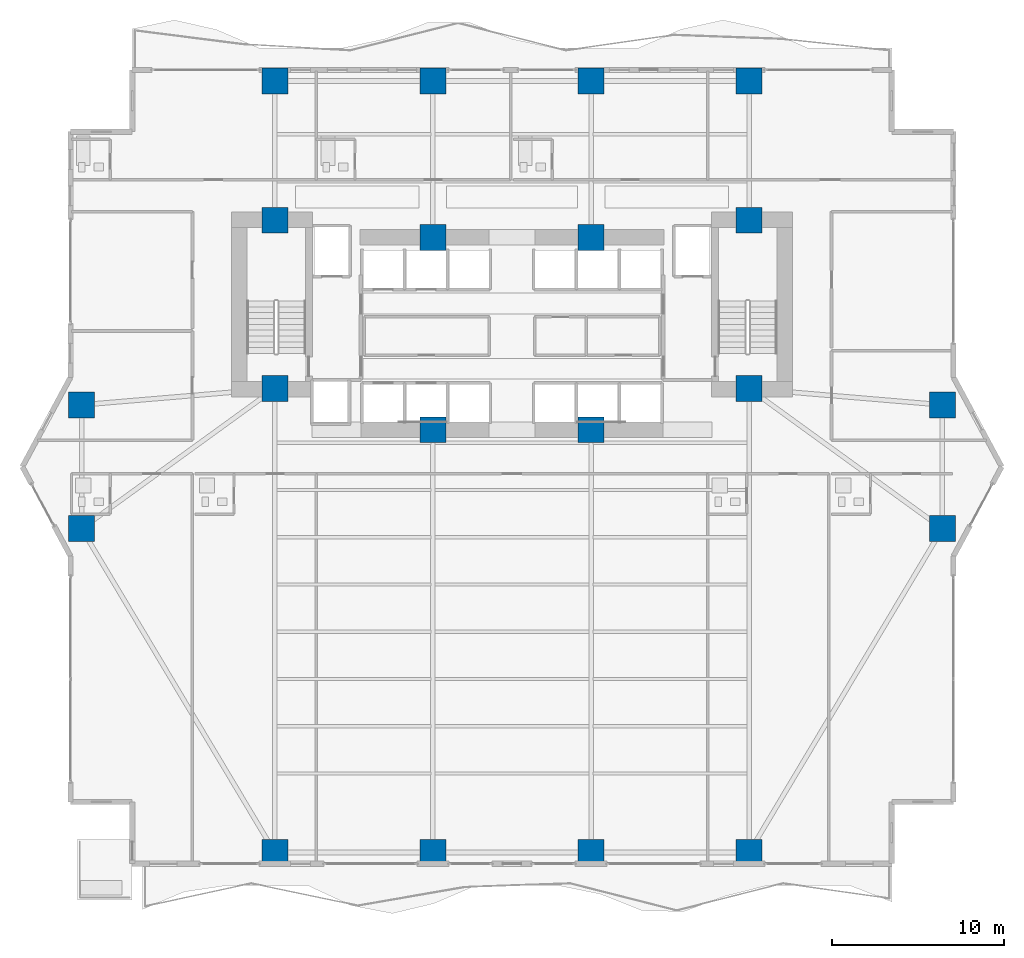
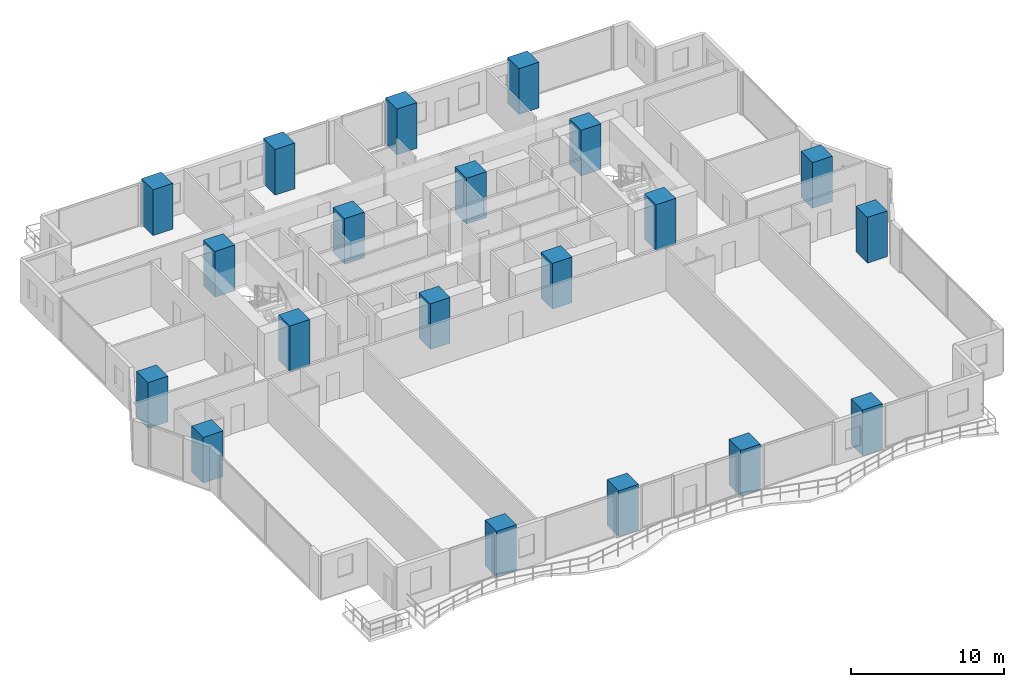
# One storey, part 1 of 28: 20 columns.
"""IFC4 building model written with IfcOpenShell, lengths in metres."""

from ifc_helpers import new_model, si_unit, direction, frame, origin, origin_2d, place, context, subcontext, project, spatial, rectangle, extrude, material, material_profile, profile_set, type_object, element, save


model = new_model("IFC4")

# Units and contexts
model_context = context("Model", 3, precision=1e-05, world=origin(), true_north=direction((0.0, 1.0)))
body_context = subcontext(model_context, "Body", "Model", "MODEL_VIEW")
ifc_project = project(units=[si_unit("LENGTHUNIT", "METRE"), si_unit("AREAUNIT", "SQUARE_METRE"), si_unit("VOLUMEUNIT", "CUBIC_METRE"), si_unit("PLANEANGLEUNIT", "RADIAN"), si_unit("MASSUNIT", "GRAM", prefix="KILO")], contexts=[model_context])

# Site, building, storey
site_placement = place(None, origin())
site = spatial("IfcSite", under=ifc_project, at=site_placement, CompositionType="ELEMENT")
building_placement = place(site_placement, origin())
building = spatial("IfcBuilding", under=site, at=building_placement, Name="Zuhayl Quay Hotel", CompositionType="ELEMENT")
storey_placement = place(building_placement, frame((0.0, 0.0, 75.050048828125)))
storey = spatial("IfcBuildingStorey", under=building, at=storey_placement, Name="L18", CompositionType="ELEMENT", Elevation=75.050048828125)

# Columns
ifc_material = material(Name="Concrete C70/85", Category="concrete")
ifc_material_profile_1 = material_profile(ifc_material, rectangle(XDim=1.5, YDim=1.5, at=origin_2d()), Name="RC1500X1500")
ifc_profile_set_1 = profile_set([ifc_material_profile_1], Name="Concrete C70/85")
column_type_1 = type_object("IfcColumnType", Name="CL_CC1_1500", PredefinedType="COLUMN", material=ifc_profile_set_1)
for number, where, z_axis, x_axis, name in (
    (1, (-13.800048828125, 14.35009765625, 0.0), (0.0, 0.0, 1.0), (1.0, 0.0, 0.0), "L18 Core Column CC_NW"),
    (2, (-4.60009765625, 13.35009765625, 0.0), (0.0, 0.0, 1.0), (1.0, 0.0, 0.0), "L18 Core Column CC_CNW"),
    (3, (4.60009765625, 13.35009765625, 0.0), (0.0, 0.0, 1.0), (1.0, 0.0, 0.0), "L18 Core Column CC_CNE"),
    (4, (13.800048828125, 14.35009765625, 0.0), (0.0, 0.0, 1.0), (1.0, 0.0, 0.0), "L18 Core Column CC_NE"),
    (5, (-13.800048828125, 4.550048828125, 0.0), (0.0, 0.0, 1.0), (1.0, 0.0, 0.0), "L18 Core Column CC_SW"),
    (6, (-4.60009765625, 2.14990234375, 0.0), (0.0, 0.0, 1.0), (1.0, 0.0, 0.0), "L18 Core Column CC_CSW"),
    (7, (4.60009765625, 2.14990234375, 0.0), (0.0, 0.0, 1.0), (1.0, 0.0, 0.0), "L18 Core Column CC_CSE"),
    (8, (13.800048828125, 4.550048828125, 0.0), (0.0, 0.0, 1.0), (1.0, 0.0, 0.0), "L18 Core Column CC_SE"),
):
    element("IfcColumn", number, at=place(storey_placement, frame(where, z_axis=z_axis, x_axis=x_axis)), inside=storey, type_object=column_type_1, Name=name, PredefinedType="COLUMN", context=body_context, shape_type="SweptSolid", body=[
        extrude(rectangle(XDim=1.5, YDim=1.5, at=origin_2d()), origin(), (0.0, 0.0, 1.0), 3.64990234375),
    ])
ifc_material_profile_2 = material_profile(ifc_material, rectangle(XDim=1.5, YDim=1.5, at=origin_2d()), Name="RC1500X1500")
ifc_profile_set_2 = profile_set([ifc_material_profile_2], Name="Concrete C70/85")
column_type_2 = type_object("IfcColumnType", Name="CL_MC1_1500", PredefinedType="COLUMN", material=ifc_profile_set_2)
for number, where, z_axis, x_axis, name in (
    (9, (-13.800048828125, -22.449951171875, 0.0), (0.0, 0.0, 1.0), (1.0, 0.0, 0.0), "L18 Mega-Column MC_S1"),
    (10, (-4.60009765625, -22.449951171875, 0.0), (0.0, 0.0, 1.0), (1.0, 0.0, 0.0), "L18 Mega-Column MC_S2"),
    (11, (4.60009765625, -22.449951171875, 0.0), (0.0, 0.0, 1.0), (1.0, 0.0, 0.0), "L18 Mega-Column MC_S3"),
    (12, (13.800048828125, -22.449951171875, 0.0), (0.0, 0.0, 1.0), (1.0, 0.0, 0.0), "L18 Mega-Column MC_S4"),
    (13, (-13.800048828125, 22.449951171875, 0.0), (0.0, 0.0, 1.0), (1.0, 0.0, 0.0), "L18 Mega-Column MC_N1"),
    (14, (-4.60009765625, 22.449951171875, 0.0), (0.0, 0.0, 1.0), (1.0, 0.0, 0.0), "L18 Mega-Column MC_N2"),
    (15, (4.60009765625, 22.449951171875, 0.0), (0.0, 0.0, 1.0), (1.0, 0.0, 0.0), "L18 Mega-Column MC_N3"),
    (16, (13.800048828125, 22.449951171875, 0.0), (0.0, 0.0, 1.0), (1.0, 0.0, 0.0), "L18 Mega-Column MC_N4"),
    (17, (-25.050048828125, -3.60009765625, 0.0), (0.0, 0.0, 1.0), (1.0, 0.0, 0.0), "L18 Mega-Column MC_W1"),
    (18, (-25.050048828125, 3.60009765625, 0.0), (0.0, 0.0, 1.0), (1.0, 0.0, 0.0), "L18 Mega-Column MC_W2"),
    (19, (25.050048828125, -3.60009765625, 0.0), (0.0, 0.0, 1.0), (1.0, 0.0, 0.0), "L18 Mega-Column MC_E1"),
    (20, (25.050048828125, 3.60009765625, 0.0), (0.0, 0.0, 1.0), (1.0, 0.0, 0.0), "L18 Mega-Column MC_E2"),
):
    element("IfcColumn", number, at=place(storey_placement, frame(where, z_axis=z_axis, x_axis=x_axis)), inside=storey, type_object=column_type_2, Name=name, PredefinedType="COLUMN", context=body_context, shape_type="SweptSolid", body=[
        extrude(rectangle(XDim=1.5, YDim=1.5, at=origin_2d()), origin(), (0.0, 0.0, 1.0), 3.64990234375),
    ])

save(model, "model.ifc")
